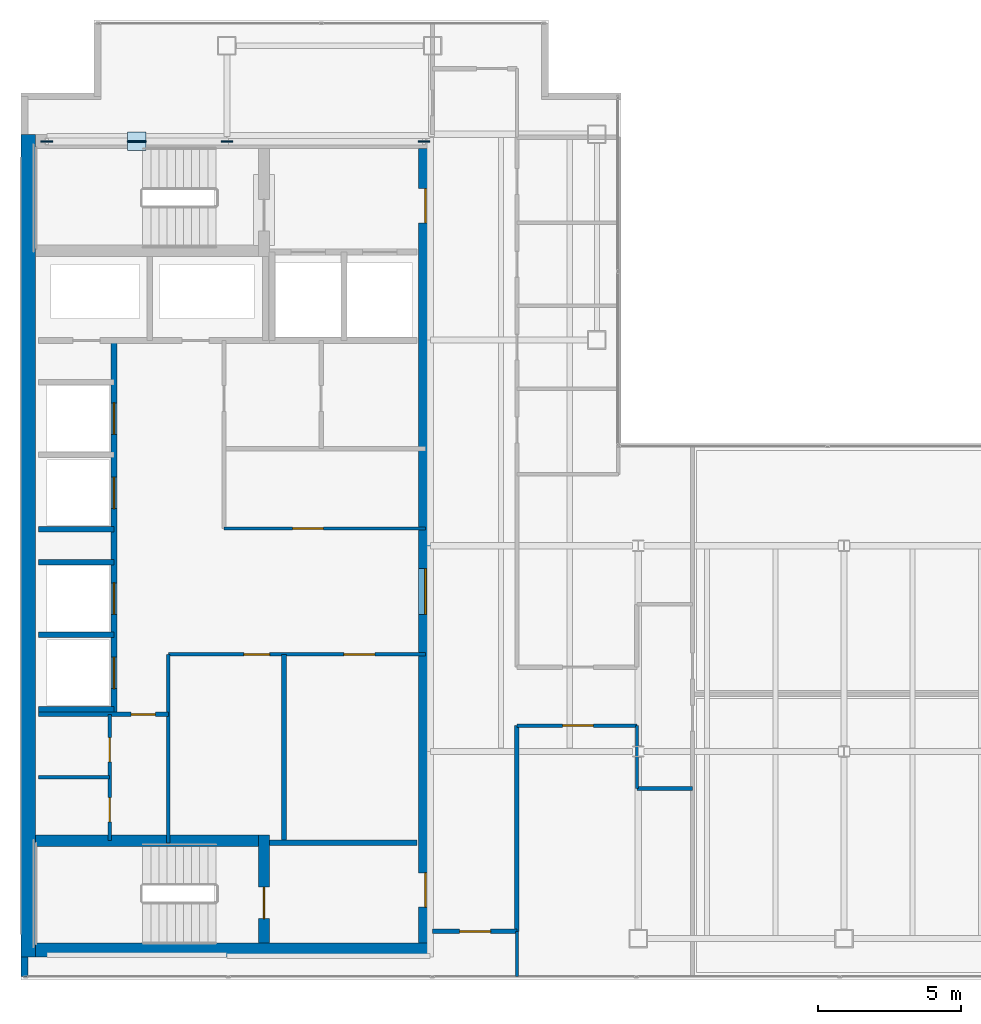
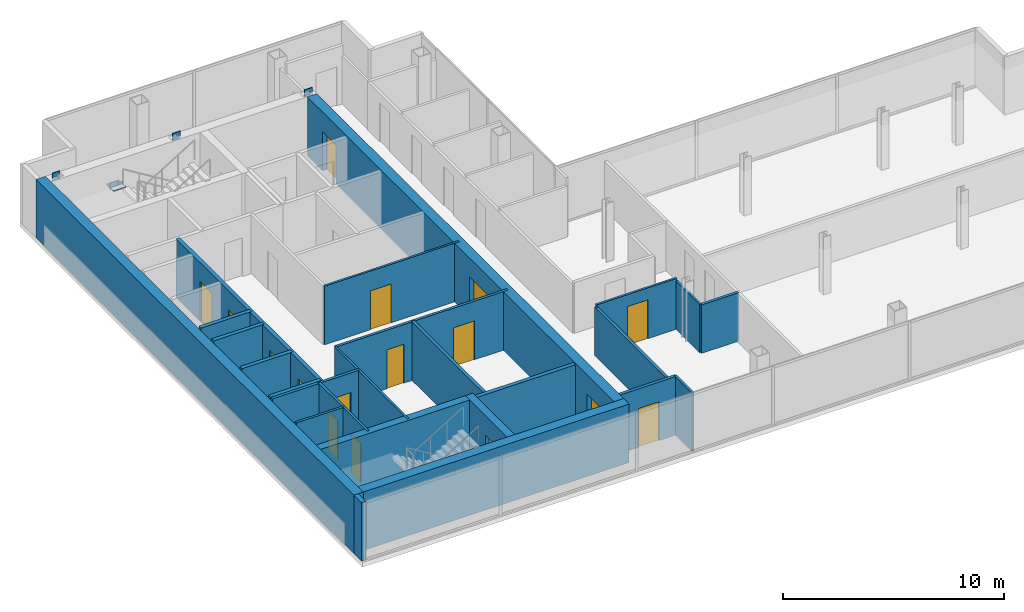
# One storey, part 20 of 23: 25 walls, 16 doors, 6 plates, 16 openings.
"""IFC4 building model written with IfcOpenShell, lengths in metres."""

from ifc_helpers import new_model, si_unit, direction, frame, frame_2d, origin, origin_2d, place, context, subcontext, project, spatial, rectangle, extrude, material, layer, layer_set, type_object, element, fill, save


model = new_model("IFC4")

# Units and contexts
model_context = context("Model", 3, precision=1e-05, world=origin(), true_north=direction((0.0, 1.0)))
body_context = subcontext(model_context, "Body", "Model", "MODEL_VIEW")
ifc_project = project(units=[si_unit("LENGTHUNIT", "METRE"), si_unit("AREAUNIT", "SQUARE_METRE"), si_unit("VOLUMEUNIT", "CUBIC_METRE"), si_unit("PLANEANGLEUNIT", "RADIAN"), si_unit("MASSUNIT", "GRAM", prefix="KILO")], contexts=[model_context])

# Site, building, storey
site_placement = place(None, origin())
site = spatial("IfcSite", under=ifc_project, at=site_placement, CompositionType="ELEMENT")
building_placement = place(site_placement, origin())
building = spatial("IfcBuilding", under=site, at=building_placement, Name="Cobrela Telecom Tower", CompositionType="ELEMENT")
storey_placement = place(building_placement, frame((0.0, 0.0, 251.64990234375)))
storey = spatial("IfcBuildingStorey", under=building, at=storey_placement, Name="L65", CompositionType="ELEMENT", Elevation=251.64990234375)

# Plates
ifc_material_1 = material(Name="Steel ASTM A572 Grade 50", Category="steel")
ifc_layer_1 = layer(ifc_material_1, 0.0419921875)
ifc_layer_set_1 = layer_set([ifc_layer_1], Name="Steel ASTM A572 Grade 50")
plate_type = type_object("IfcPlateType", Name="PLT-NODE-ND1", PredefinedType="USERDEFINED", material=ifc_layer_set_1)
for number, where, z_axis, x_axis, name in (
    (1, (7.199951171875, 35.75, 3.0751953125), (0.0, 0.0, 1.0), (1.0, 0.0, 0.0), "Steel node plate PLT-MBR-EXO-L65-N1-A-1"),
    (2, (4.173828125, 35.75, 1.349609375), (0.0, 0.0, 1.0), (-1.0, 0.0, 0.0), "Steel node plate PLT-MBR-EXO-L65-N1-B1-1"),
    (3, (3.926025390625, 35.75, 1.48046875), (0.0, 0.0, 1.0), (-1.0, 0.0, 0.0), "Steel node plate PLT-MBR-EXO-L65-N1-B2-0"),
    (4, (0.89990234375, 35.75, 3.0751953125), (0.0, 0.0, 1.0), (-1.0, 0.0, 0.0), "Steel node plate PLT-MBR-EXO-L65-N1-B2-1"),
):
    element("IfcPlate", number, at=place(storey_placement, frame(where, z_axis=z_axis, x_axis=x_axis)), inside=storey, type_object=plate_type, Name=name, ObjectType="GUSSET PLATE", PredefinedType="USERDEFINED", context=body_context, shape_type="SweptSolid", body=[
        extrude(rectangle(XDim=0.409912109375, YDim=0.044921875, at=origin_2d()), origin(), (0.0, 0.0, 1.0), 0.409912109375),
    ])
plate_1_placement = place(storey_placement, frame((4.050048828125, 35.75, 1.59765625), z_axis=(0.0, 0.0, 1.0), x_axis=(1.0, 0.0, 0.0)))
element("IfcPlate", 5, at=plate_1_placement, inside=storey, type_object=plate_type, Name="L65 Core Flange Steel X-Brace Central X-Crossing Gusset Plate", ObjectType="GUSSET PLATE", PredefinedType="USERDEFINED", context=body_context, shape_type="SweptSolid", body=[
    extrude(rectangle(XDim=0.64990234375, YDim=0.64990234375, at=origin_2d()), origin(), (0.0, 0.0, 1.0), 0.044921875),
])
plate_2_placement = place(storey_placement, frame((14.10009765625, 35.75, 3.0751953125), z_axis=(0.0, 0.0, 1.0), x_axis=(1.0, 0.0, 0.0)))
element("IfcPlate", 6, at=plate_2_placement, inside=storey, type_object=plate_type, Name="Steel node plate PLT-MBR-EXO-L65-N2-1", ObjectType="GUSSET PLATE", PredefinedType="USERDEFINED", context=body_context, shape_type="SweptSolid", body=[
    extrude(rectangle(XDim=0.409912109375, YDim=0.044921875, at=origin_2d()), origin(), (0.0, 0.0, 1.0), 0.409912109375),
])

# Walls
ifc_material_2 = material(Name="Concrete C40/50", Category="concrete")
ifc_layer_2 = layer(ifc_material_2, 0.5)
ifc_layer_set_2 = layer_set([ifc_layer_2], Name="Concrete C40/50")
wall_type_1 = type_object("IfcWallType", Name="WALL-CORE-C40-500", PredefinedType="SHEAR", material=ifc_layer_set_2)
wall_1_placement = place(storey_placement, frame((0.25, 7.199951171875, 0.0), z_axis=(0.0, 0.0, 1.0), x_axis=(0.0, 1.0, 0.0)))
element("IfcWall", 7, at=wall_1_placement, inside=storey, type_object=wall_type_1, Name="L65 West Core Shear Wall", PredefinedType="SHEAR", context=body_context, shape_type="SweptSolid", body=[
    extrude(rectangle(XDim=28.800048828125, YDim=0.5, at=frame_2d((14.39990234375, 0.0))), origin(), (0.0, 0.0, 1.0), 3.239990234375),
])
wall_2_placement = place(storey_placement, frame((0.5, 7.449951171875, 0.0), z_axis=(0.0, 0.0, 1.0), x_axis=(1.0, 0.0, 0.0)))
element("IfcWall", 8, at=wall_2_placement, inside=storey, type_object=wall_type_1, Name="L65 South Core Shear Wall", PredefinedType="SHEAR", context=body_context, shape_type="SweptSolid", body=[
    extrude(rectangle(XDim=13.89990234375, YDim=0.5, at=frame_2d((6.949951171875, 0.0))), origin(), (0.0, 0.0, 1.0), 3.239990234375),
])

# Wall, openings, doors
wall_3_placement = place(storey_placement, frame((14.14990234375, 35.5, 0.0), z_axis=(0.0, 0.0, 1.0), x_axis=(0.0, -1.0, 0.0)))
wall_3 = element("IfcWall", 9, at=wall_3_placement, inside=storey, type_object=wall_type_1, Name="L65 East Core Shear Wall", PredefinedType="SHEAR", context=body_context, shape_type="SweptSolid", body=[
    extrude(rectangle(XDim=27.800048828125, YDim=0.5, at=frame_2d((13.89990234375, 0.0))), origin(), (0.0, 0.0, 1.0), 3.239990234375),
])
opening_1_placement = place(wall_3_placement, frame((1.39990234375, 0.0, 0.0)))
opening_1 = element("IfcOpeningElement", 10, at=opening_1_placement, cuts=wall_3, Name="Opening DR-19", PredefinedType="OPENING", context=body_context, shape_type="SweptSolid", body=[
    extrude(rectangle(XDim=1.199951171875, YDim=2.14990234375, at=frame_2d((0.60009765625, 1.074951171875))), frame((0.0, 0.261962890625, 0.0), z_axis=(0.0, -1.0, 0.0), x_axis=(1.0, 0.0, 0.0)), (0.0, 0.0, 1.0), 0.52392578125),
])
opening_2_placement = place(wall_3_placement, frame((25.35009765625, 0.0, 0.0)))
opening_2 = element("IfcOpeningElement", 11, at=opening_2_placement, cuts=wall_3, Name="Opening DR-19", PredefinedType="OPENING", context=body_context, shape_type="SweptSolid", body=[
    extrude(rectangle(XDim=1.199951171875, YDim=2.14990234375, at=frame_2d((0.60009765625, 1.074951171875))), frame((0.0, 0.261962890625, 0.0), z_axis=(0.0, -1.0, 0.0), x_axis=(1.0, 0.0, 0.0)), (0.0, 0.0, 1.0), 0.52392578125),
])
opening_3_placement = place(wall_3_placement, frame((14.699951171875, 0.0, 0.0)))
opening_3 = element("IfcOpeningElement", 12, at=opening_3_placement, cuts=wall_3, Name="Opening DR-51", PredefinedType="OPENING", context=body_context, shape_type="SweptSolid", body=[
    extrude(rectangle(XDim=1.60009765625, YDim=2.199951171875, at=frame_2d((0.800048828125, 1.10009765625))), frame((0.0, 0.261962890625, 0.0), z_axis=(0.0, -1.0, 0.0), x_axis=(1.0, 0.0, 0.0)), (0.0, 0.0, 1.0), 0.52392578125),
])
ifc_material_3 = material(Name="Steel ASTM A36", Category="steel")
door_type_1 = type_object("IfcDoorType", Name="DOOR-FD60-1200", OperationType="SINGLE_SWING_LEFT", PredefinedType="DOOR", material=ifc_material_3)
door_1_placement = place(opening_1_placement, origin())
door_1 = element("IfcDoor", 13, at=door_1_placement, inside=storey, type_object=door_type_1, Name="L65 Door DR-19", OperationType="SINGLE_SWING_LEFT", OverallHeight=2.14990234375, OverallWidth=1.199951171875, PredefinedType="DOOR", context=body_context, shape_type="SweptSolid", body=[
    extrude(rectangle(XDim=1.199951171875, YDim=2.14990234375, at=frame_2d((0.60009765625, 1.074951171875))), frame((0.0, 0.02490234375, 0.0), z_axis=(0.0, -1.0, 0.0), x_axis=(1.0, 0.0, 0.0)), (0.0, 0.0, 1.0), 0.050048828125),
])
fill(opening_1, door_1)
door_2_placement = place(opening_2_placement, origin())
door_2 = element("IfcDoor", 14, at=door_2_placement, inside=storey, type_object=door_type_1, Name="L65 Door DR-19", OperationType="SINGLE_SWING_RIGHT", OverallHeight=2.14990234375, OverallWidth=1.199951171875, PredefinedType="DOOR", context=body_context, shape_type="SweptSolid", body=[
    extrude(rectangle(XDim=1.199951171875, YDim=2.14990234375, at=frame_2d((0.60009765625, 1.074951171875))), frame((0.0, 0.02490234375, 0.0), z_axis=(0.0, -1.0, 0.0), x_axis=(1.0, 0.0, 0.0)), (0.0, 0.0, 1.0), 0.050048828125),
])
fill(opening_2, door_2)
door_type_2 = type_object("IfcDoorType", Name="DOOR-FD60-1600", OperationType="SINGLE_SWING_LEFT", PredefinedType="DOOR", material=ifc_material_3)
door_3_placement = place(opening_3_placement, origin())
door_3 = element("IfcDoor", 15, at=door_3_placement, inside=storey, type_object=door_type_2, Name="L65 Door DR-51", OperationType="DOUBLE_DOOR_SINGLE_SWING", OverallHeight=2.199951171875, OverallWidth=1.60009765625, PredefinedType="DOOR", context=body_context, shape_type="SweptSolid", body=[
    extrude(rectangle(XDim=1.60009765625, YDim=2.199951171875, at=frame_2d((0.800048828125, 1.10009765625))), frame((0.0, 0.02490234375, 0.0), z_axis=(0.0, -1.0, 0.0), x_axis=(1.0, 0.0, 0.0)), (0.0, 0.0, 1.0), 0.050048828125),
])
fill(opening_3, door_3)

# Wall
ifc_layer_3 = layer(ifc_material_2, 0.239990234375)
ifc_layer_set_3 = layer_set([ifc_layer_3], Name="Concrete C40/50")
wall_type_2 = type_object("IfcWallType", Name="WALL-EXT-300", PredefinedType="STANDARD", material=ifc_layer_set_3)
wall_4_placement = place(storey_placement, frame((0.1201171875, 6.52001953125, 0.0), z_axis=(0.0, 0.0, 1.0), x_axis=(0.0, 1.0, 0.0)))
element("IfcWall", 16, at=wall_4_placement, inside=storey, type_object=wall_type_2, Name="L65 Insulated Facade Wall 01", PredefinedType="STANDARD", context=body_context, shape_type="SweptSolid", body=[
    extrude(rectangle(XDim=0.679931640625, YDim=0.239990234375, at=frame_2d((0.33984375, 0.0))), origin(), (0.0, 0.0, 1.0), 3.239990234375),
])

# Wall, opening, door
ifc_material_4 = material(Name="Fire-Rated Gypsum Plasterboard")
ifc_layer_4 = layer(ifc_material_4, 0.110107421875)
ifc_layer_set_4 = layer_set([ifc_layer_4], Name="Fire-Rated Gypsum Plasterboard")
wall_type_3 = type_object("IfcWallType", Name="WALL-PART-110", PredefinedType="PARTITIONING", material=ifc_layer_set_4)
wall_5_placement = place(storey_placement, frame((7.10009765625, 22.199951171875, 0.0), z_axis=(0.0, 0.0, 1.0), x_axis=(1.0, 0.0, 0.0)))
wall_5 = element("IfcWall", 17, at=wall_5_placement, inside=storey, type_object=wall_type_3, Name="L65 Interior Partition CW-RECL-S", PredefinedType="PARTITIONING", context=body_context, shape_type="SweptSolid", body=[
    extrude(rectangle(XDim=7.0498046875, YDim=0.110107421875, at=frame_2d((3.52490234375, 0.0))), origin(), (0.0, 0.0, 1.0), 3.239990234375),
])
opening_4_placement = place(wall_5_placement, frame((2.39990234375, 0.0, 0.0)))
opening_4 = element("IfcOpeningElement", 18, at=opening_4_placement, cuts=wall_5, Name="Opening DR-63", PredefinedType="OPENING", context=body_context, shape_type="SweptSolid", body=[
    extrude(rectangle(XDim=1.080078125, YDim=2.14990234375, at=frame_2d((0.5400390625, 1.074951171875))), frame((0.0, 0.06689453125, 0.0), z_axis=(0.0, -1.0, 0.0), x_axis=(1.0, 0.0, 0.0)), (0.0, 0.0, 1.0), 0.134033203125),
])
ifc_material_5 = material(Name="Solid Engineered Oak Timber", Category="wood")
door_type_3 = type_object("IfcDoorType", Name="DOOR-INT-1080", OperationType="SINGLE_SWING_LEFT", PredefinedType="DOOR", material=ifc_material_5)
door_4_placement = place(opening_4_placement, origin())
door_4 = element("IfcDoor", 19, at=door_4_placement, inside=storey, type_object=door_type_3, Name="L65 Door DR-63", OperationType="SINGLE_SWING_LEFT", OverallHeight=2.14990234375, OverallWidth=1.080078125, PredefinedType="DOOR", context=body_context, shape_type="SweptSolid", body=[
    extrude(rectangle(XDim=1.080078125, YDim=2.14990234375, at=frame_2d((0.5400390625, 1.074951171875))), frame((0.0, 0.02490234375, 0.0), z_axis=(0.0, -1.0, 0.0), x_axis=(1.0, 0.0, 0.0)), (0.0, 0.0, 1.0), 0.050048828125),
])
fill(opening_4, door_4)

# Wall
wall_6_placement = place(storey_placement, frame((5.14990234375, 11.199951171875, 0.0), z_axis=(0.0, 0.0, 1.0), x_axis=(0.0, 1.0, 0.0)))
element("IfcWall", 20, at=wall_6_placement, inside=storey, type_object=wall_type_3, Name="L65 Interior Partition CW-RECM-W", PredefinedType="PARTITIONING", context=body_context, shape_type="SweptSolid", body=[
    extrude(rectangle(XDim=6.60009765625, YDim=0.110107421875, at=frame_2d((3.300048828125, 0.0))), origin(), (0.0, 0.0, 1.0), 3.239990234375),
])

# Wall, opening, door
wall_7_placement = place(storey_placement, frame((17.35009765625, 15.300048828125, 0.0), z_axis=(0.0, 0.0, 1.0), x_axis=(1.0, 0.0, 0.0)))
wall_7 = element("IfcWall", 21, at=wall_7_placement, inside=storey, type_object=wall_type_3, Name="L65 Interior Partition W-C-HS", PredefinedType="PARTITIONING", context=body_context, shape_type="SweptSolid", body=[
    extrude(rectangle(XDim=4.199951171875, YDim=0.110107421875, at=frame_2d((2.10009765625, 0.0))), origin(), (0.0, 0.0, 1.0), 2.80810546875),
])
opening_5_placement = place(wall_7_placement, frame((1.60009765625, 0.0, 0.0)))
opening_5 = element("IfcOpeningElement", 22, at=opening_5_placement, cuts=wall_7, Name="Opening DR-63", PredefinedType="OPENING", context=body_context, shape_type="SweptSolid", body=[
    extrude(rectangle(XDim=1.080078125, YDim=2.14990234375, at=frame_2d((0.5400390625, 1.074951171875))), frame((0.0, 0.06689453125, 0.0), z_axis=(0.0, -1.0, 0.0), x_axis=(1.0, 0.0, 0.0)), (0.0, 0.0, 1.0), 0.134033203125),
])
door_5_placement = place(opening_5_placement, origin())
door_5 = element("IfcDoor", 23, at=door_5_placement, inside=storey, type_object=door_type_3, Name="L65 Door DR-63", OperationType="SINGLE_SWING_LEFT", OverallHeight=2.14990234375, OverallWidth=1.080078125, PredefinedType="DOOR", context=body_context, shape_type="SweptSolid", body=[
    extrude(rectangle(XDim=1.080078125, YDim=2.14990234375, at=frame_2d((0.5400390625, 1.074951171875))), frame((0.0, 0.02490234375, 0.0), z_axis=(0.0, -1.0, 0.0), x_axis=(1.0, 0.0, 0.0)), (0.0, 0.0, 1.0), 0.050048828125),
])
fill(opening_5, door_5)

# Walls
wall_8_placement = place(storey_placement, frame((21.550048828125, 13.10009765625, 0.0), z_axis=(0.0, 0.0, 1.0), x_axis=(0.0, 1.0, 0.0)))
element("IfcWall", 24, at=wall_8_placement, inside=storey, type_object=wall_type_3, Name="L65 Interior Partition W-CT-JW1", PredefinedType="PARTITIONING", context=body_context, shape_type="SweptSolid", body=[
    extrude(rectangle(XDim=2.199951171875, YDim=0.110107421875, at=frame_2d((1.10009765625, 0.0))), origin(), (0.0, 0.0, 1.0), 2.676025390625),
])
wall_9_placement = place(storey_placement, frame((17.35009765625, 6.52001953125, 0.0), z_axis=(0.0, 0.0, 1.0), x_axis=(0.0, 1.0, 0.0)))
element("IfcWall", 25, at=wall_9_placement, inside=storey, type_object=wall_type_3, Name="L65 Interior Partition W-SW-E", PredefinedType="PARTITIONING", context=body_context, shape_type="SweptSolid", body=[
    extrude(rectangle(XDim=1.580078125, YDim=0.110107421875, at=frame_2d((0.7900390625, 0.0))), origin(), (0.0, 0.0, 1.0), 3.239990234375),
])
ifc_layer_5 = layer(ifc_material_4, 0.125)
ifc_layer_set_5 = layer_set([ifc_layer_5], Name="Fire-Rated Gypsum Plasterboard")
wall_type_4 = type_object("IfcWallType", Name="WALL-PART-125", PredefinedType="PARTITIONING", material=ifc_layer_set_5)
wall_10_placement = place(storey_placement, frame((0.60009765625, 13.5, 0.0), z_axis=(0.0, 0.0, 1.0), x_axis=(1.0, 0.0, 0.0)))
element("IfcWall", 26, at=wall_10_placement, inside=storey, type_object=wall_type_4, Name="L65 Interior Partition CW-FK3-H", PredefinedType="PARTITIONING", context=body_context, shape_type="SweptSolid", body=[
    extrude(rectangle(XDim=2.5, YDim=0.125, at=frame_2d((1.25, 0.0))), origin(), (0.0, 0.0, 1.0), 3.239990234375),
])

# Wall, openings, doors
wall_11_placement = place(storey_placement, frame((3.10009765625, 11.280029296875, 0.0), z_axis=(0.0, 0.0, 1.0), x_axis=(0.0, 1.0, 0.0)))
wall_11 = element("IfcWall", 27, at=wall_11_placement, inside=storey, type_object=wall_type_4, Name="L65 Interior Partition CW-FK3-V", PredefinedType="PARTITIONING", context=body_context, shape_type="SweptSolid", body=[
    extrude(rectangle(XDim=4.419921875, YDim=0.125, at=frame_2d((2.2099609375, 0.0))), origin(), (0.0, 0.0, 1.0), 3.239990234375),
])
opening_6_placement = place(wall_11_placement, frame((0.64990234375, 0.0, 0.0)))
opening_6 = element("IfcOpeningElement", 28, at=opening_6_placement, cuts=wall_11, Name="Opening DR-11", PredefinedType="OPENING", context=body_context, shape_type="SweptSolid", body=[
    extrude(rectangle(XDim=0.85009765625, YDim=2.14990234375, at=frame_2d((0.425048828125, 1.074951171875))), frame((0.0, 0.074462890625, 0.0), z_axis=(0.0, -1.0, 0.0), x_axis=(1.0, 0.0, 0.0)), (0.0, 0.0, 1.0), 0.14892578125),
])
opening_7_placement = place(wall_11_placement, frame((2.75, 0.0, 0.0)))
opening_7 = element("IfcOpeningElement", 29, at=opening_7_placement, cuts=wall_11, Name="Opening DR-11", PredefinedType="OPENING", context=body_context, shape_type="SweptSolid", body=[
    extrude(rectangle(XDim=0.85009765625, YDim=2.14990234375, at=frame_2d((0.425048828125, 1.074951171875))), frame((0.0, 0.074462890625, 0.0), z_axis=(0.0, -1.0, 0.0), x_axis=(1.0, 0.0, 0.0)), (0.0, 0.0, 1.0), 0.14892578125),
])
door_type_4 = type_object("IfcDoorType", Name="DOOR-INT-850", OperationType="SINGLE_SWING_LEFT", PredefinedType="DOOR", material=ifc_material_5)
door_6_placement = place(opening_6_placement, origin())
door_6 = element("IfcDoor", 30, at=door_6_placement, inside=storey, type_object=door_type_4, Name="L65 Door DR-11", OperationType="SINGLE_SWING_LEFT", OverallHeight=2.14990234375, OverallWidth=0.85009765625, PredefinedType="DOOR", context=body_context, shape_type="SweptSolid", body=[
    extrude(rectangle(XDim=0.85009765625, YDim=2.14990234375, at=frame_2d((0.425048828125, 1.074951171875))), frame((0.0, 0.02490234375, 0.0), z_axis=(0.0, -1.0, 0.0), x_axis=(1.0, 0.0, 0.0)), (0.0, 0.0, 1.0), 0.050048828125),
])
fill(opening_6, door_6)
door_7_placement = place(opening_7_placement, origin())
door_7 = element("IfcDoor", 31, at=door_7_placement, inside=storey, type_object=door_type_4, Name="L65 Door DR-11", OperationType="SINGLE_SWING_RIGHT", OverallHeight=2.14990234375, OverallWidth=0.85009765625, PredefinedType="DOOR", context=body_context, shape_type="SweptSolid", body=[
    extrude(rectangle(XDim=0.85009765625, YDim=2.14990234375, at=frame_2d((0.425048828125, 1.074951171875))), frame((0.0, 0.02490234375, 0.0), z_axis=(0.0, -1.0, 0.0), x_axis=(1.0, 0.0, 0.0)), (0.0, 0.0, 1.0), 0.050048828125),
])
fill(opening_7, door_7)

ifc_layer_6 = layer(ifc_material_4, 0.135009765625)
ifc_layer_set_6 = layer_set([ifc_layer_6], Name="Fire-Rated Gypsum Plasterboard")
wall_type_5 = type_object("IfcWallType", Name="WALL-PART-135", PredefinedType="PARTITIONING", material=ifc_layer_set_6)
wall_12_placement = place(storey_placement, frame((5.14990234375, 17.800048828125, 0.0), z_axis=(0.0, 0.0, 1.0), x_axis=(1.0, 0.0, 0.0)))
wall_12 = element("IfcWall", 32, at=wall_12_placement, inside=storey, type_object=wall_type_5, Name="L65 Interior Partition CW-RECM-N", PredefinedType="PARTITIONING", context=body_context, shape_type="SweptSolid", body=[
    extrude(rectangle(XDim=9.0, YDim=0.135009765625, at=frame_2d((4.5, 0.0))), origin(), (0.0, 0.0, 1.0), 3.239990234375),
])
opening_8_placement = place(wall_12_placement, frame((2.64990234375, 0.0, 0.0)))
opening_8 = element("IfcOpeningElement", 33, at=opening_8_placement, cuts=wall_12, Name="Opening DR-41", PredefinedType="OPENING", context=body_context, shape_type="SweptSolid", body=[
    extrude(rectangle(XDim=0.89990234375, YDim=2.14990234375, at=frame_2d((0.449951171875, 1.074951171875))), frame((0.0, 0.07958984375, 0.0), z_axis=(0.0, -1.0, 0.0), x_axis=(1.0, 0.0, 0.0)), (0.0, 0.0, 1.0), 0.158935546875),
])
opening_9_placement = place(wall_12_placement, frame((6.14990234375, 0.0, 0.0)))
opening_9 = element("IfcOpeningElement", 34, at=opening_9_placement, cuts=wall_12, Name="Opening DR-63", PredefinedType="OPENING", context=body_context, shape_type="SweptSolid", body=[
    extrude(rectangle(XDim=1.080078125, YDim=2.14990234375, at=frame_2d((0.5400390625, 1.074951171875))), frame((0.0, 0.07958984375, 0.0), z_axis=(0.0, -1.0, 0.0), x_axis=(1.0, 0.0, 0.0)), (0.0, 0.0, 1.0), 0.158935546875),
])
door_8_placement = place(opening_9_placement, origin())
door_8 = element("IfcDoor", 35, at=door_8_placement, inside=storey, type_object=door_type_3, Name="L65 Door DR-63", OperationType="SINGLE_SWING_RIGHT", OverallHeight=2.14990234375, OverallWidth=1.080078125, PredefinedType="DOOR", context=body_context, shape_type="SweptSolid", body=[
    extrude(rectangle(XDim=1.080078125, YDim=2.14990234375, at=frame_2d((0.5400390625, 1.074951171875))), frame((0.0, 0.02490234375, 0.0), z_axis=(0.0, -1.0, 0.0), x_axis=(1.0, 0.0, 0.0)), (0.0, 0.0, 1.0), 0.050048828125),
])
fill(opening_9, door_8)
door_type_5 = type_object("IfcDoorType", Name="DOOR-INT-900", OperationType="SINGLE_SWING_LEFT", PredefinedType="DOOR", material=ifc_material_5)
door_9_placement = place(opening_8_placement, origin())
door_9 = element("IfcDoor", 36, at=door_9_placement, inside=storey, type_object=door_type_5, Name="L65 Door DR-41", OperationType="SINGLE_SWING_LEFT", OverallHeight=2.14990234375, OverallWidth=0.89990234375, PredefinedType="DOOR", context=body_context, shape_type="SweptSolid", body=[
    extrude(rectangle(XDim=0.89990234375, YDim=2.14990234375, at=frame_2d((0.449951171875, 1.074951171875))), frame((0.0, 0.02490234375, 0.0), z_axis=(0.0, -1.0, 0.0), x_axis=(1.0, 0.0, 0.0)), (0.0, 0.0, 1.0), 0.050048828125),
])
fill(opening_8, door_9)

# Wall, opening, door
ifc_layer_7 = layer(ifc_material_4, 0.14990234375)
ifc_layer_set_7 = layer_set([ifc_layer_7], Name="Fire-Rated Gypsum Plasterboard")
wall_type_6 = type_object("IfcWallType", Name="WALL-PART-150", PredefinedType="PARTITIONING", material=ifc_layer_set_7)
wall_13_placement = place(storey_placement, frame((0.60009765625, 15.699951171875, 0.0), z_axis=(0.0, 0.0, 1.0), x_axis=(1.0, 0.0, 0.0)))
wall_13 = element("IfcWall", 37, at=wall_13_placement, inside=storey, type_object=wall_type_6, Name="L65 Interior Partition CW-FLEX-N", PredefinedType="PARTITIONING", context=body_context, shape_type="SweptSolid", body=[
    extrude(rectangle(XDim=4.5498046875, YDim=0.14990234375, at=frame_2d((2.27490234375, 0.0))), origin(), (0.0, 0.0, 1.0), 3.239990234375),
])
opening_10_placement = place(wall_13_placement, frame((3.25, 0.0, 0.0)))
opening_10 = element("IfcOpeningElement", 38, at=opening_10_placement, cuts=wall_13, Name="Opening DR-11", PredefinedType="OPENING", context=body_context, shape_type="SweptSolid", body=[
    extrude(rectangle(XDim=0.85009765625, YDim=2.14990234375, at=frame_2d((0.425048828125, 1.074951171875))), frame((0.0, 0.0869140625, 0.0), z_axis=(0.0, -1.0, 0.0), x_axis=(1.0, 0.0, 0.0)), (0.0, 0.0, 1.0), 0.173828125),
])
door_10_placement = place(opening_10_placement, origin())
door_10 = element("IfcDoor", 39, at=door_10_placement, inside=storey, type_object=door_type_4, Name="L65 Door DR-11", OperationType="SINGLE_SWING_LEFT", OverallHeight=2.14990234375, OverallWidth=0.85009765625, PredefinedType="DOOR", context=body_context, shape_type="SweptSolid", body=[
    extrude(rectangle(XDim=0.85009765625, YDim=2.14990234375, at=frame_2d((0.425048828125, 1.074951171875))), frame((0.0, 0.02490234375, 0.0), z_axis=(0.0, -1.0, 0.0), x_axis=(1.0, 0.0, 0.0)), (0.0, 0.0, 1.0), 0.050048828125),
])
fill(opening_10, door_10)

# Walls
wall_14_placement = place(storey_placement, frame((17.35009765625, 8.10009765625, 0.0), z_axis=(0.0, 0.0, 1.0), x_axis=(0.0, 1.0, 0.0)))
element("IfcWall", 40, at=wall_14_placement, inside=storey, type_object=wall_type_6, Name="L65 Interior Partition W-C-E1", PredefinedType="PARTITIONING", context=body_context, shape_type="SweptSolid", body=[
    extrude(rectangle(XDim=7.199951171875, YDim=0.14990234375, at=frame_2d((3.60009765625, 0.0))), origin(), (0.0, 0.0, 1.0), 2.676025390625),
])
wall_15_placement = place(storey_placement, frame((21.550048828125, 13.10009765625, 0.0), z_axis=(0.0, 0.0, 1.0), x_axis=(1.0, 0.0, 0.0)))
element("IfcWall", 41, at=wall_15_placement, inside=storey, type_object=wall_type_6, Name="L65 Interior Partition W-CT-S", PredefinedType="PARTITIONING", context=body_context, shape_type="SweptSolid", body=[
    extrude(rectangle(XDim=1.949951171875, YDim=0.14990234375, at=frame_2d((0.97509765625, 0.0))), origin(), (0.0, 0.0, 1.0), 2.676025390625),
])
ifc_layer_8 = layer(ifc_material_4, 0.159912109375)
ifc_layer_set_8 = layer_set([ifc_layer_8], Name="Fire-Rated Gypsum Plasterboard")
wall_type_7 = type_object("IfcWallType", Name="WALL-PART-160", PredefinedType="PARTITIONING", material=ifc_layer_set_8)
wall_16_placement = place(storey_placement, frame((9.199951171875, 11.199951171875, 0.0), z_axis=(0.0, 0.0, 1.0), x_axis=(0.0, 1.0, 0.0)))
element("IfcWall", 42, at=wall_16_placement, inside=storey, type_object=wall_type_7, Name="L65 Interior Partition CW-RECM-V", PredefinedType="PARTITIONING", context=body_context, shape_type="SweptSolid", body=[
    extrude(rectangle(XDim=6.60009765625, YDim=0.159912109375, at=frame_2d((3.300048828125, 0.0))), origin(), (0.0, 0.0, 1.0), 3.239990234375),
])

# Wall, opening, door
wall_17_placement = place(storey_placement, frame((14.39990234375, 8.10009765625, 0.0), z_axis=(0.0, 0.0, 1.0), x_axis=(1.0, 0.0, 0.0)))
wall_17 = element("IfcWall", 43, at=wall_17_placement, inside=storey, type_object=wall_type_7, Name="L65 Interior Partition W-C-S0", PredefinedType="PARTITIONING", context=body_context, shape_type="SweptSolid", body=[
    extrude(rectangle(XDim=2.9501953125, YDim=0.159912109375, at=frame_2d((1.47509765625, 0.0))), origin(), (0.0, 0.0, 1.0), 3.239990234375),
])
opening_11_placement = place(wall_17_placement, frame((0.949951171875, 0.0, 0.0)))
opening_11 = element("IfcOpeningElement", 44, at=opening_11_placement, cuts=wall_17, Name="Opening DR-63", PredefinedType="OPENING", context=body_context, shape_type="SweptSolid", body=[
    extrude(rectangle(XDim=1.080078125, YDim=2.14990234375, at=frame_2d((0.5400390625, 1.074951171875))), frame((0.0, 0.091796875, 0.0), z_axis=(0.0, -1.0, 0.0), x_axis=(1.0, 0.0, 0.0)), (0.0, 0.0, 1.0), 0.183837890625),
])
door_11_placement = place(opening_11_placement, origin())
door_11 = element("IfcDoor", 45, at=door_11_placement, inside=storey, type_object=door_type_3, Name="L65 Door DR-63", OperationType="SINGLE_SWING_RIGHT", OverallHeight=2.14990234375, OverallWidth=1.080078125, PredefinedType="DOOR", context=body_context, shape_type="SweptSolid", body=[
    extrude(rectangle(XDim=1.080078125, YDim=2.14990234375, at=frame_2d((0.5400390625, 1.074951171875))), frame((0.0, 0.02490234375, 0.0), z_axis=(0.0, -1.0, 0.0), x_axis=(1.0, 0.0, 0.0)), (0.0, 0.0, 1.0), 0.050048828125),
])
fill(opening_11, door_11)

# Wall
ifc_layer_9 = layer(ifc_material_4, 0.199951171875)
ifc_layer_set_9 = layer_set([ifc_layer_9], Name="Fire-Rated Gypsum Plasterboard")
wall_type_8 = type_object("IfcWallType", Name="WALL-SHAFT-200", PredefinedType="PARTITIONING", material=ifc_layer_set_9)
wall_18_placement = place(storey_placement, frame((8.699951171875, 11.199951171875, 0.0), z_axis=(0.0, 0.0, 1.0), x_axis=(1.0, 0.0, 0.0)))
element("IfcWall", 46, at=wall_18_placement, inside=storey, type_object=wall_type_8, Name="L65 Shaft Enclosure CW-ST2L-N", PredefinedType="PARTITIONING", context=body_context, shape_type="SweptSolid", body=[
    extrude(rectangle(XDim=5.150146484375, YDim=0.199951171875, at=frame_2d((2.5751953125, 0.0))), origin(), (0.0, 0.0, 1.0), 3.239990234375),
])

# Wall, openings, doors
wall_19_placement = place(storey_placement, frame((3.25, 15.699951171875, 0.0), z_axis=(0.0, 0.0, 1.0), x_axis=(0.0, 1.0, 0.0)))
wall_19 = element("IfcWall", 47, at=wall_19_placement, inside=storey, type_object=wall_type_8, Name="L65 Shaft Enclosure CW-PLH-E", PredefinedType="PARTITIONING", context=body_context, shape_type="SweptSolid", body=[
    extrude(rectangle(XDim=13.080078125, YDim=0.199951171875, at=frame_2d((6.5400390625, 0.0))), origin(), (0.0, 0.0, 1.0), 3.239990234375),
])
opening_12_placement = place(wall_19_placement, frame((0.89990234375, 0.0, 0.0)))
opening_12 = element("IfcOpeningElement", 48, at=opening_12_placement, cuts=wall_19, Name="Opening LD-1", PredefinedType="OPENING", context=body_context, shape_type="SweptSolid", body=[
    extrude(rectangle(XDim=1.10009765625, YDim=2.199951171875, at=frame_2d((0.550048828125, 1.10009765625))), frame((0.0, 0.11181640625, 0.0), z_axis=(0.0, -1.0, 0.0), x_axis=(1.0, 0.0, 0.0)), (0.0, 0.0, 1.0), 0.223876953125),
])
opening_13_placement = place(wall_19_placement, frame((3.5, 0.0, 0.0)))
opening_13 = element("IfcOpeningElement", 49, at=opening_13_placement, cuts=wall_19, Name="Opening LD-1", PredefinedType="OPENING", context=body_context, shape_type="SweptSolid", body=[
    extrude(rectangle(XDim=1.10009765625, YDim=2.199951171875, at=frame_2d((0.550048828125, 1.10009765625))), frame((0.0, 0.11181640625, 0.0), z_axis=(0.0, -1.0, 0.0), x_axis=(1.0, 0.0, 0.0)), (0.0, 0.0, 1.0), 0.223876953125),
])
opening_14_placement = place(wall_19_placement, frame((7.199951171875, 0.0, 0.0)))
opening_14 = element("IfcOpeningElement", 50, at=opening_14_placement, cuts=wall_19, Name="Opening LD-1", PredefinedType="OPENING", context=body_context, shape_type="SweptSolid", body=[
    extrude(rectangle(XDim=1.10009765625, YDim=2.199951171875, at=frame_2d((0.550048828125, 1.10009765625))), frame((0.0, 0.11181640625, 0.0), z_axis=(0.0, -1.0, 0.0), x_axis=(1.0, 0.0, 0.0)), (0.0, 0.0, 1.0), 0.223876953125),
])
opening_15_placement = place(wall_19_placement, frame((9.800048828125, 0.0, 0.0)))
opening_15 = element("IfcOpeningElement", 51, at=opening_15_placement, cuts=wall_19, Name="Opening LD-1", PredefinedType="OPENING", context=body_context, shape_type="SweptSolid", body=[
    extrude(rectangle(XDim=1.10009765625, YDim=2.199951171875, at=frame_2d((0.550048828125, 1.10009765625))), frame((0.0, 0.11181640625, 0.0), z_axis=(0.0, -1.0, 0.0), x_axis=(1.0, 0.0, 0.0)), (0.0, 0.0, 1.0), 0.223876953125),
])
door_type_6 = type_object("IfcDoorType", Name="DOOR-LD-PL", OperationType="SINGLE_SWING_LEFT", PredefinedType="DOOR", material=ifc_material_3)
door_12_placement = place(opening_12_placement, origin())
door_12 = element("IfcDoor", 52, at=door_12_placement, inside=storey, type_object=door_type_6, Name="L65 Lift Landing Door LD-1", OperationType="DOUBLE_DOOR_SLIDING", OverallHeight=2.199951171875, OverallWidth=1.10009765625, PredefinedType="DOOR", context=body_context, shape_type="SweptSolid", body=[
    extrude(rectangle(XDim=1.10009765625, YDim=2.199951171875, at=frame_2d((0.550048828125, 1.10009765625))), frame((0.0, 0.02490234375, 0.0), z_axis=(0.0, -1.0, 0.0), x_axis=(1.0, 0.0, 0.0)), (0.0, 0.0, 1.0), 0.050048828125),
])
fill(opening_12, door_12)
door_13_placement = place(opening_13_placement, origin())
door_13 = element("IfcDoor", 53, at=door_13_placement, inside=storey, type_object=door_type_6, Name="L65 Lift Landing Door LD-1", OperationType="DOUBLE_DOOR_SLIDING", OverallHeight=2.199951171875, OverallWidth=1.10009765625, PredefinedType="DOOR", context=body_context, shape_type="SweptSolid", body=[
    extrude(rectangle(XDim=1.10009765625, YDim=2.199951171875, at=frame_2d((0.550048828125, 1.10009765625))), frame((0.0, 0.02490234375, 0.0), z_axis=(0.0, -1.0, 0.0), x_axis=(1.0, 0.0, 0.0)), (0.0, 0.0, 1.0), 0.050048828125),
])
fill(opening_13, door_13)
door_14_placement = place(opening_14_placement, origin())
door_14 = element("IfcDoor", 54, at=door_14_placement, inside=storey, type_object=door_type_6, Name="L65 Lift Landing Door LD-1", OperationType="DOUBLE_DOOR_SLIDING", OverallHeight=2.199951171875, OverallWidth=1.10009765625, PredefinedType="DOOR", context=body_context, shape_type="SweptSolid", body=[
    extrude(rectangle(XDim=1.10009765625, YDim=2.199951171875, at=frame_2d((0.550048828125, 1.10009765625))), frame((0.0, 0.02490234375, 0.0), z_axis=(0.0, -1.0, 0.0), x_axis=(1.0, 0.0, 0.0)), (0.0, 0.0, 1.0), 0.050048828125),
])
fill(opening_14, door_14)
door_15_placement = place(opening_15_placement, origin())
door_15 = element("IfcDoor", 55, at=door_15_placement, inside=storey, type_object=door_type_6, Name="L65 Lift Landing Door LD-1", OperationType="DOUBLE_DOOR_SLIDING", OverallHeight=2.199951171875, OverallWidth=1.10009765625, PredefinedType="DOOR", context=body_context, shape_type="SweptSolid", body=[
    extrude(rectangle(XDim=1.10009765625, YDim=2.199951171875, at=frame_2d((0.550048828125, 1.10009765625))), frame((0.0, 0.02490234375, 0.0), z_axis=(0.0, -1.0, 0.0), x_axis=(1.0, 0.0, 0.0)), (0.0, 0.0, 1.0), 0.050048828125),
])
fill(opening_15, door_15)

# Walls
for number, where, z_axis, x_axis, name in (
    (56, (0.60009765625, 15.8798828125, 0.0), (0.0, 0.0, 1.0), (1.0, 0.0, 0.0), "L65 Shaft Enclosure CW-PLH-D9"),
    (57, (0.60009765625, 18.47998046875, 0.0), (0.0, 0.0, 1.0), (1.0, 0.0, 0.0), "L65 Shaft Enclosure CW-PLH-D10"),
    (58, (0.60009765625, 22.179931640625, 0.0), (0.0, 0.0, 1.0), (1.0, 0.0, 0.0), "L65 Shaft Enclosure CW-PLH-D11"),
    (59, (0.60009765625, 21.02001953125, 0.0), (0.0, 0.0, 1.0), (1.0, 0.0, 0.0), "L65 Shaft Enclosure CW-PLH-MID"),
):
    element("IfcWall", number, at=place(storey_placement, frame(where, z_axis=z_axis, x_axis=x_axis)), inside=storey, type_object=wall_type_8, Name=name, PredefinedType="PARTITIONING", context=body_context, shape_type="SweptSolid", body=[
        extrude(rectangle(XDim=2.64990234375, YDim=0.199951171875, at=frame_2d((1.324951171875, 0.0))), origin(), (0.0, 0.0, 1.0), 3.239990234375),
    ])
ifc_layer_10 = layer(ifc_material_2, 0.39990234375)
ifc_layer_set_10 = layer_set([ifc_layer_10], Name="Concrete C40/50")
wall_type_9 = type_object("IfcWallType", Name="WALL-SHAFT-C40-400", PredefinedType="SHEAR", material=ifc_layer_set_10)
wall_20_placement = place(storey_placement, frame((0.5, 11.280029296875, 0.0), z_axis=(0.0, 0.0, 1.0), x_axis=(1.0, 0.0, 0.0)))
element("IfcWall", 60, at=wall_20_placement, inside=storey, type_object=wall_type_9, Name="L65 South Stair Shear Wall", PredefinedType="SHEAR", context=body_context, shape_type="SweptSolid", body=[
    extrude(rectangle(XDim=7.800048828125, YDim=0.39990234375, at=frame_2d((3.89990234375, 0.0))), origin(), (0.0, 0.0, 1.0), 3.239990234375),
])

# Wall, opening, door
wall_21_placement = place(storey_placement, frame((8.5, 7.699951171875, 0.0), z_axis=(0.0, 0.0, 1.0), x_axis=(0.0, 1.0, 0.0)))
wall_21 = element("IfcWall", 61, at=wall_21_placement, inside=storey, type_object=wall_type_9, Name="L65 South Stair Lobby Shear Wall", PredefinedType="SHEAR", context=body_context, shape_type="SweptSolid", body=[
    extrude(rectangle(XDim=3.780029296875, YDim=0.39990234375, at=frame_2d((1.89013671875, 0.0))), origin(), (0.0, 0.0, 1.0), 3.239990234375),
])
opening_16_placement = place(wall_21_placement, frame((0.85009765625, 0.0, 0.0)))
opening_16 = element("IfcOpeningElement", 62, at=opening_16_placement, cuts=wall_21, Name="Opening FD-90", PredefinedType="OPENING", context=body_context, shape_type="SweptSolid", body=[
    extrude(rectangle(XDim=1.10009765625, YDim=2.14990234375, at=frame_2d((0.550048828125, 1.074951171875))), frame((0.0, 0.2119140625, 0.0), z_axis=(0.0, -1.0, 0.0), x_axis=(1.0, 0.0, 0.0)), (0.0, 0.0, 1.0), 0.423828125),
])
door_type_7 = type_object("IfcDoorType", Name="DOOR-FD90-1100", OperationType="SINGLE_SWING_LEFT", PredefinedType="DOOR", material=ifc_material_3)
door_16_placement = place(opening_16_placement, origin())
door_16 = element("IfcDoor", 63, at=door_16_placement, inside=storey, type_object=door_type_7, Name="L65 Door FD-90", OperationType="SINGLE_SWING_LEFT", OverallHeight=2.14990234375, OverallWidth=1.10009765625, PredefinedType="DOOR", context=body_context, shape_type="SweptSolid", body=[
    extrude(rectangle(XDim=1.10009765625, YDim=2.14990234375, at=frame_2d((0.550048828125, 1.074951171875))), frame((0.0, 0.02490234375, 0.0), z_axis=(0.0, -1.0, 0.0), x_axis=(1.0, 0.0, 0.0)), (0.0, 0.0, 1.0), 0.050048828125),
])
fill(opening_16, door_16)

save(model, "model.ifc")
